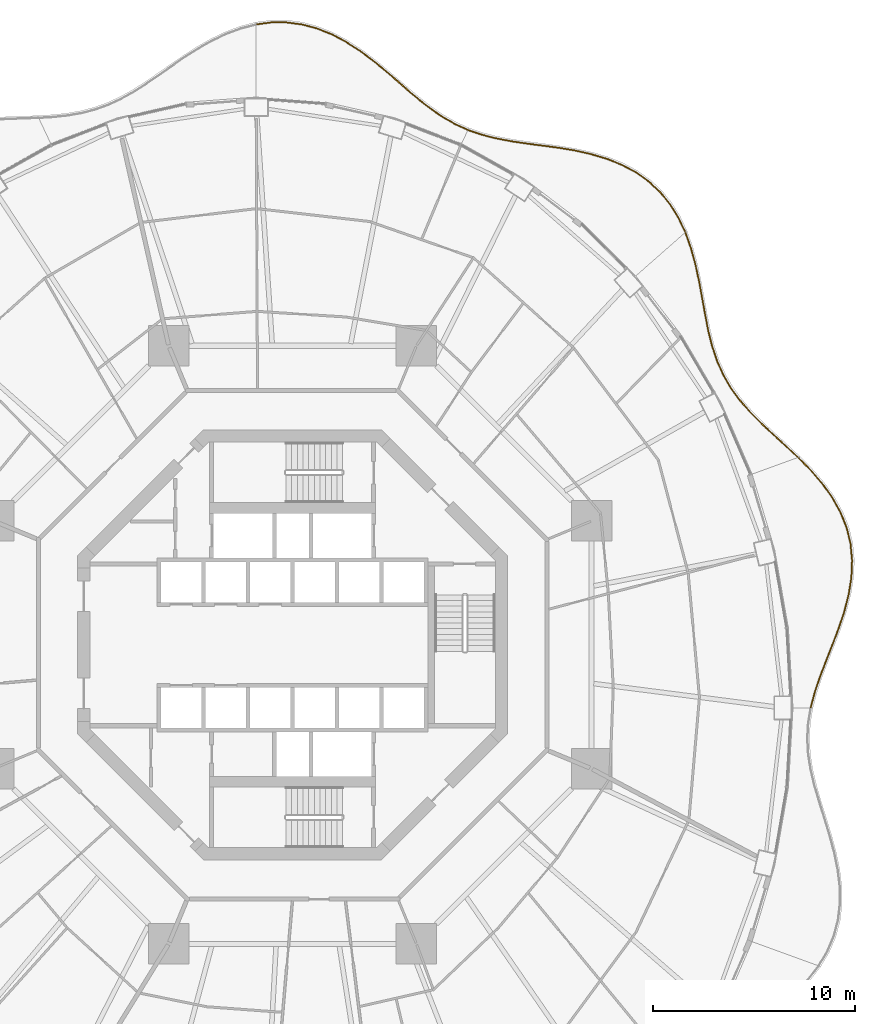
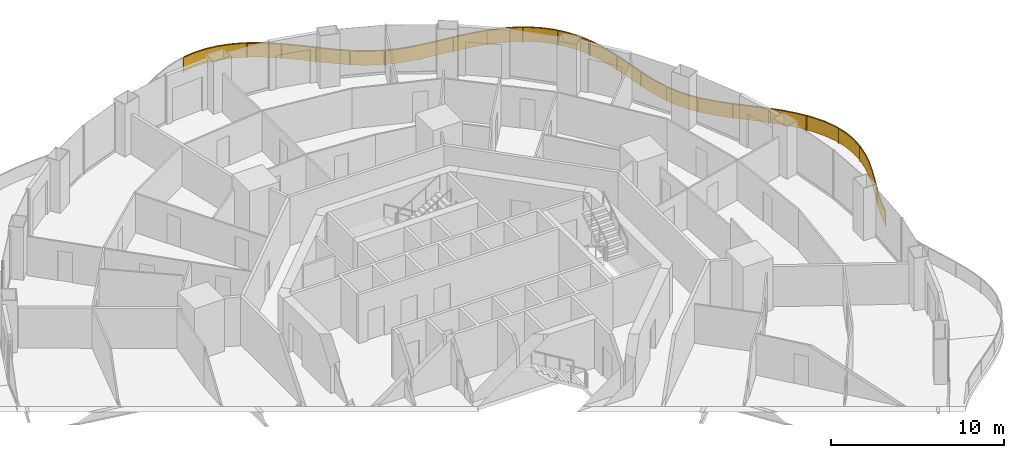
# One storey, part 21 of 21: 4 railings.
"""IFC4 building model written with IfcOpenShell, lengths in metres."""

from ifc_helpers import new_model, si_unit, direction, frame, origin, origin_2d, place, context, subcontext, project, spatial, polyline, rectangle, outline, extrude, material, type_object, element, save


model = new_model("IFC4")

# Units and contexts
model_context = context("Model", 3, precision=1e-05, world=origin(), true_north=direction((0.0, 1.0)))
body_context = subcontext(model_context, "Body", "Model", "MODEL_VIEW")
ifc_project = project(units=[si_unit("LENGTHUNIT", "METRE"), si_unit("AREAUNIT", "SQUARE_METRE"), si_unit("VOLUMEUNIT", "CUBIC_METRE"), si_unit("PLANEANGLEUNIT", "RADIAN"), si_unit("MASSUNIT", "GRAM", prefix="KILO")], contexts=[model_context])

# Site, building, storey
site_placement = place(None, origin())
site = spatial("IfcSite", under=ifc_project, at=site_placement, CompositionType="ELEMENT")
building_placement = place(site_placement, origin())
building = spatial("IfcBuilding", under=site, at=building_placement, Name="Nagisa Residences", CompositionType="ELEMENT")
storey_placement = place(building_placement, frame((0.0, 0.0, 138.10009765625)))
storey = spatial("IfcBuildingStorey", under=building, at=storey_placement, Name="L34", CompositionType="ELEMENT", Elevation=138.10009765625)

# Railings
ifc_material = material(Name="Stainless steel 316", Category="steel")
railing_type = type_object("IfcRailingType", Name="BALCONY GUARD 1100", PredefinedType="BALUSTRADE", material=ifc_material)
railing_1_placement = place(storey_placement, frame((25.61572265625, -3.083740234375, 0.0)))
element("IfcRailing", 1, at=railing_1_placement, inside=storey, type_object=railing_type, Name="guard:L34:bal00-0", PredefinedType="BALUSTRADE", context=body_context, shape_type="SweptSolid", body=[
    extrude(outline(polyline([(0.166015625, 0.728759765625), (-0.024169921875, 0.00634765625), (0.024169921875, -0.00634765625), (0.2138671875, 0.714599609375), (0.473876953125, 1.487548828125), (0.775390625, 2.27685546875), (1.093994140625, 3.083251953125), (1.404296875, 3.90625), (1.68115234375, 4.728759765625), (1.896728515625, 5.573486328125), (2.030517578125, 6.419677734375), (2.064697265625, 7.259521484375), (1.98779296875, 8.084228515625), (1.798095703125, 8.872314453125), (1.4912109375, 9.64404296875), (1.079345703125, 10.380615234375), (0.5771484375, 11.080078125), (0.004150390625, 11.74267578125), (-0.585693359375, 12.338134765625), (-0.621337890625, 12.302978515625), (-0.032470703125, 11.70849609375), (0.53759765625, 11.048828125), (1.036865234375, 10.353759765625), (1.44580078125, 9.62255859375), (1.750244140625, 8.857177734375), (1.9384765625, 8.075927734375), (2.014404296875, 7.258056640625), (1.980712890625, 6.424560546875), (1.847900390625, 5.583740234375), (1.63330078125, 4.742919921875), (1.35693359375, 3.9228515625), (1.047119140625, 3.101318359375), (0.728515625, 2.294921875), (0.427001953125, 1.504638671875), (0.166015625, 0.728759765625)])), frame((0.0, 0.0, 1.050048828125)), (0.0, 0.0, 1.0), 0.050048828125),
    extrude(outline(polyline([(0.183349609375, 0.7236328125), (-0.0068359375, 0.001708984375), (0.0068359375, -0.001708984375), (0.196533203125, 0.7197265625), (0.45703125, 1.49365234375), (0.758544921875, 2.283447265625), (1.0771484375, 3.08984375), (1.38720703125, 3.912109375), (1.6640625, 4.73388671875), (1.879150390625, 5.5771484375), (2.0126953125, 6.42138671875), (2.046630859375, 7.259033203125), (1.969970703125, 8.081298828125), (1.78076171875, 8.866943359375), (1.474853515625, 9.63623046875), (1.06396484375, 10.370849609375), (0.56298828125, 11.06884765625), (-0.009033203125, 11.730224609375), (-0.5986328125, 12.325439453125), (-0.6083984375, 12.315673828125), (-0.019287109375, 11.720947265625), (0.5517578125, 11.06005859375), (1.05224609375, 10.363525390625), (1.462158203125, 9.63037109375), (1.767578125, 8.862548828125), (1.956298828125, 8.078857421875), (2.032470703125, 7.258544921875), (1.99853515625, 6.4228515625), (1.865478515625, 5.580078125), (1.650390625, 4.73779296875), (1.3740234375, 3.9169921875), (1.06396484375, 3.0947265625), (0.745361328125, 2.288330078125), (0.44384765625, 1.49853515625), (0.183349609375, 0.7236328125)])), frame((0.0, 0.0, 0.06005859375)), (0.0, 0.0, 1.0), 0.989990234375),
    extrude(rectangle(XDim=0.0400390625, YDim=0.0400390625, at=origin_2d()), origin(), (0.0, 0.0, 1.0), 1.050048828125),
    extrude(rectangle(XDim=0.0400390625, YDim=0.0400390625, at=origin_2d()), frame((0.6923828125, 2.130126953125, 0.0)), (0.0, 0.0, 1.0), 1.050048828125),
    extrude(rectangle(XDim=0.0400390625, YDim=0.0400390625, at=origin_2d()), frame((1.48583984375, 4.226806640625, 0.0)), (0.0, 0.0, 1.0), 1.050048828125),
    extrude(rectangle(XDim=0.0400390625, YDim=0.0400390625, at=origin_2d()), frame((2.002685546875, 6.4033203125, 0.0)), (0.0, 0.0, 1.0), 1.050048828125),
    extrude(rectangle(XDim=0.0400390625, YDim=0.0400390625, at=origin_2d()), frame((1.831787109375, 8.625244140625, 0.0)), (0.0, 0.0, 1.0), 1.050048828125),
    extrude(rectangle(XDim=0.0400390625, YDim=0.0400390625, at=origin_2d()), frame((0.866943359375, 10.633544921875, 0.0)), (0.0, 0.0, 1.0), 1.050048828125),
    extrude(rectangle(XDim=0.0400390625, YDim=0.0400390625, at=origin_2d()), frame((-0.603515625, 12.320556640625, 0.0)), (0.0, 0.0, 1.0), 1.050048828125),
])
railing_2_placement = place(storey_placement, frame((24.956298828125, 9.289306640625, 0.0)))
element("IfcRailing", 2, at=railing_2_placement, inside=storey, type_object=railing_type, Name="guard:L34:bal01-0", PredefinedType="BALUSTRADE", context=body_context, shape_type="SweptSolid", body=[
    extrude(outline(polyline([(-0.607666015625, 0.533203125), (-0.01708984375, -0.018310546875), (0.01708984375, 0.018310546875), (-0.573486328125, 0.56982421875), (-1.194091796875, 1.13720703125), (-1.791259765625, 1.697021484375), (-2.347412109375, 2.26025390625), (-2.84765625, 2.837158203125), (-3.2763671875, 3.4248046875), (-3.643310546875, 4.057861328125), (-3.943115234375, 4.729248046875), (-4.183837890625, 5.442626953125), (-4.376708984375, 6.197265625), (-4.529052734375, 6.9765625), (-4.6767578125, 7.79736328125), (-4.8310546875, 8.63623046875), (-5.01171875, 9.47900390625), (-5.23779296875, 10.310302734375), (-5.5068359375, 11.06884765625), (-5.55419921875, 11.05224609375), (-5.28564453125, 10.295166015625), (-5.060546875, 9.46728515625), (-4.88037109375, 8.62646484375), (-4.72607421875, 7.78857421875), (-4.578369140625, 6.96728515625), (-4.425537109375, 6.18603515625), (-4.231689453125, 5.428466796875), (-3.989990234375, 4.711181640625), (-3.687744140625, 4.034912109375), (-3.318359375, 3.3974609375), (-2.88671875, 2.805908203125), (-2.384033203125, 2.22607421875), (-1.826416015625, 1.661376953125), (-1.228271484375, 1.1005859375), (-0.607666015625, 0.533203125)])), frame((0.0, 0.0, 1.050048828125)), (0.0, 0.0, 1.0), 0.050048828125),
    extrude(outline(polyline([(-0.59521484375, 0.54638671875), (-0.0048828125, -0.005126953125), (0.0048828125, 0.005126953125), (-0.5859375, 0.556640625), (-1.20654296875, 1.1240234375), (-1.803955078125, 1.684326171875), (-2.360595703125, 2.247802734375), (-2.86181640625, 2.825927734375), (-3.29150390625, 3.4150390625), (-3.6591796875, 4.049560546875), (-3.9599609375, 4.72265625), (-4.200927734375, 5.4375), (-4.394287109375, 6.193115234375), (-4.546875, 6.97314453125), (-4.694580078125, 7.794189453125), (-4.848876953125, 8.6328125), (-5.029296875, 9.474853515625), (-5.255126953125, 10.304931640625), (-5.52392578125, 11.06298828125), (-5.537109375, 11.05810546875), (-5.268310546875, 10.300537109375), (-5.04296875, 9.471435546875), (-4.862548828125, 8.6298828125), (-4.708251953125, 7.791748046875), (-4.560546875, 6.970703125), (-4.407958984375, 6.190185546875), (-4.214599609375, 5.43359375), (-3.97314453125, 4.7177734375), (-3.671875, 4.043212890625), (-3.30322265625, 3.4072265625), (-2.87255859375, 2.817138671875), (-2.370849609375, 2.238525390625), (-1.813720703125, 1.674072265625), (-1.2158203125, 1.11376953125), (-0.59521484375, 0.54638671875)])), frame((0.0, 0.0, 0.06005859375)), (0.0, 0.0, 1.0), 0.989990234375),
    extrude(rectangle(XDim=0.0400390625, YDim=0.0400390625, at=origin_2d()), origin(), (0.0, 0.0, 1.0), 1.050048828125),
    extrude(rectangle(XDim=0.0400390625, YDim=0.0400390625, at=origin_2d()), frame((-1.56103515625, 1.44677734375, 0.0)), (0.0, 0.0, 1.0), 1.050048828125),
    extrude(rectangle(XDim=0.0400390625, YDim=0.0400390625, at=origin_2d()), frame((-3.0029296875, 3.0078125, 0.0)), (0.0, 0.0, 1.0), 1.050048828125),
    extrude(rectangle(XDim=0.0400390625, YDim=0.0400390625, at=origin_2d()), frame((-4.0166015625, 4.86865234375, 0.0)), (0.0, 0.0, 1.0), 1.050048828125),
    extrude(rectangle(XDim=0.0400390625, YDim=0.0400390625, at=origin_2d()), frame((-4.544921875, 6.927490234375, 0.0)), (0.0, 0.0, 1.0), 1.050048828125),
    extrude(rectangle(XDim=0.0400390625, YDim=0.0400390625, at=origin_2d()), frame((-4.938720703125, 9.018798828125, 0.0)), (0.0, 0.0, 1.0), 1.050048828125),
    extrude(rectangle(XDim=0.0400390625, YDim=0.0400390625, at=origin_2d()), frame((-5.530517578125, 11.060546875, 0.0)), (0.0, 0.0, 1.0), 1.050048828125),
])
railing_3_placement = place(storey_placement, frame((19.39697265625, 20.421630859375, 0.0)))
element("IfcRailing", 3, at=railing_3_placement, inside=storey, type_object=railing_type, Name="guard:L34:bal02-0", PredefinedType="BALUSTRADE", context=body_context, shape_type="SweptSolid", body=[
    extrude(outline(polyline([(-0.34130859375, 0.668212890625), (-0.022705078125, -0.0107421875), (0.022705078125, 0.0107421875), (-0.29736328125, 0.692138671875), (-0.713134765625, 1.362060546875), (-1.205810546875, 1.966796875), (-1.773681640625, 2.4990234375), (-2.411376953125, 2.953857421875), (-3.0986328125, 3.320068359375), (-3.847412109375, 3.62255859375), (-4.633056640625, 3.85791015625), (-5.44091796875, 4.037841796875), (-6.257080078125, 4.17578125), (-7.053955078125, 4.27978515625), (-7.84814453125, 4.385009765625), (-8.616455078125, 4.49951171875), (-9.353515625, 4.640625), (-10.055908203125, 4.82177734375), (-10.685546875, 5.0400390625), (-10.7021484375, 4.99267578125), (-10.070556640625, 4.77392578125), (-9.3642578125, 4.591796875), (-8.624755859375, 4.4501953125), (-7.85498046875, 4.335205078125), (-7.060302734375, 4.22998046875), (-6.264404296875, 4.12646484375), (-5.45068359375, 3.988525390625), (-4.645751953125, 3.8095703125), (-3.864013671875, 3.5751953125), (-3.11962890625, 3.274658203125), (-2.437744140625, 2.911376953125), (-1.805419921875, 2.46044921875), (-1.242431640625, 1.9326171875), (-0.754150390625, 1.332763671875), (-0.34130859375, 0.668212890625)])), frame((0.0, 0.0, 1.050048828125)), (0.0, 0.0, 1.0), 0.050048828125),
    extrude(outline(polyline([(-0.325439453125, 0.6767578125), (-0.00634765625, -0.0029296875), (0.00634765625, 0.0029296875), (-0.313232421875, 0.68359375), (-0.72802734375, 1.3515625), (-1.218994140625, 1.95458984375), (-1.78515625, 2.485107421875), (-2.4208984375, 2.9384765625), (-3.106201171875, 3.3037109375), (-3.853271484375, 3.60546875), (-4.6376953125, 3.840576171875), (-5.4443359375, 4.02001953125), (-6.259765625, 4.157958984375), (-7.05615234375, 4.26171875), (-7.8505859375, 4.366943359375), (-8.619384765625, 4.481689453125), (-9.357421875, 4.623046875), (-10.061279296875, 4.804443359375), (-10.691650390625, 5.02294921875), (-10.696044921875, 5.009765625), (-10.065185546875, 4.791259765625), (-9.3603515625, 4.609375), (-8.621826171875, 4.468017578125), (-7.8525390625, 4.353271484375), (-7.05810546875, 4.248046875), (-6.26171875, 4.144287109375), (-5.447265625, 4.00634765625), (-4.64111328125, 3.826904296875), (-3.858154296875, 3.59228515625), (-3.112060546875, 3.291015625), (-2.42822265625, 2.9267578125), (-1.7939453125, 2.474365234375), (-1.229248046875, 1.94482421875), (-0.7392578125, 1.34326171875), (-0.325439453125, 0.6767578125)])), frame((0.0, 0.0, 0.06005859375)), (0.0, 0.0, 1.0), 0.989990234375),
    extrude(rectangle(XDim=0.0400390625, YDim=0.0400390625, at=origin_2d()), origin(), (0.0, 0.0, 1.0), 1.050048828125),
    extrude(rectangle(XDim=0.0400390625, YDim=0.0400390625, at=origin_2d()), frame((-1.0732421875, 1.7646484375, 0.0)), (0.0, 0.0, 1.0), 1.050048828125),
    extrude(rectangle(XDim=0.0400390625, YDim=0.0400390625, at=origin_2d()), frame((-2.672607421875, 3.064697265625, 0.0)), (0.0, 0.0, 1.0), 1.050048828125),
    extrude(rectangle(XDim=0.0400390625, YDim=0.0400390625, at=origin_2d()), frame((-4.59814453125, 3.8212890625, 0.0)), (0.0, 0.0, 1.0), 1.050048828125),
    extrude(rectangle(XDim=0.0400390625, YDim=0.0400390625, at=origin_2d()), frame((-6.636474609375, 4.2001953125, 0.0)), (0.0, 0.0, 1.0), 1.050048828125),
    extrude(rectangle(XDim=0.0400390625, YDim=0.0400390625, at=origin_2d()), frame((-8.69091796875, 4.48828125, 0.0)), (0.0, 0.0, 1.0), 1.050048828125),
    extrude(rectangle(XDim=0.0400390625, YDim=0.0400390625, at=origin_2d()), frame((-10.69384765625, 5.016357421875, 0.0)), (0.0, 0.0, 1.0), 1.050048828125),
])
railing_4_placement = place(storey_placement, frame((8.638916015625, 25.462890625, 0.0)))
element("IfcRailing", 4, at=railing_4_placement, inside=storey, type_object=railing_type, Name="guard:L34:bal03-0", PredefinedType="BALUSTRADE", context=body_context, shape_type="SweptSolid", body=[
    extrude(outline(polyline([(-0.590576171875, 0.240478515625), (-0.01025390625, -0.022705078125), (0.01025390625, 0.022705078125), (-0.567626953125, 0.284912109375), (-1.161376953125, 0.62109375), (-1.740234375, 1.01220703125), (-2.311767578125, 1.452392578125), (-2.884521484375, 1.931884765625), (-3.450439453125, 2.43212890625), (-4.0498046875, 2.947021484375), (-4.671630859375, 3.453369140625), (-5.319580078125, 3.932373046875), (-5.99560546875, 4.365478515625), (-6.6826171875, 4.732177734375), (-7.409423828125, 5.02294921875), (-8.156982421875, 5.2236328125), (-8.91845703125, 5.326171875), (-9.686279296875, 5.32763671875), (-10.40380859375, 5.23388671875), (-10.3974609375, 5.18408203125), (-9.682861328125, 5.27734375), (-8.921875, 5.2763671875), (-8.166748046875, 5.17431640625), (-7.425048828125, 4.9755859375), (-6.70361328125, 4.686767578125), (-6.02099609375, 4.322021484375), (-5.347900390625, 3.891357421875), (-4.702392578125, 3.413818359375), (-4.08203125, 2.908447265625), (-3.483154296875, 2.39453125), (-2.917236328125, 1.893798828125), (-2.343017578125, 1.413330078125), (-1.76953125, 0.9716796875), (-1.187744140625, 0.57861328125), (-0.590576171875, 0.240478515625)])), frame((0.0, 0.0, 1.050048828125)), (0.0, 0.0, 1.0), 0.050048828125),
    extrude(outline(polyline([(-0.582275390625, 0.25634765625), (-0.0029296875, -0.00634765625), (0.0029296875, 0.00634765625), (-0.575927734375, 0.26904296875), (-1.1708984375, 0.605712890625), (-1.750732421875, 0.99755859375), (-2.322998046875, 1.438232421875), (-2.896240234375, 1.918212890625), (-3.462158203125, 2.418701171875), (-4.0615234375, 2.93310546875), (-4.6826171875, 3.439208984375), (-5.329833984375, 3.917724609375), (-6.004638671875, 4.349853515625), (-6.690185546875, 4.7158203125), (-7.4150390625, 5.005859375), (-8.160400390625, 5.205810546875), (-8.919677734375, 5.308349609375), (-9.68505859375, 5.3095703125), (-10.401611328125, 5.2158203125), (-10.399658203125, 5.2021484375), (-9.68408203125, 5.29541015625), (-8.920654296875, 5.294189453125), (-8.163330078125, 5.192138671875), (-7.41943359375, 4.99267578125), (-6.696044921875, 4.703125), (-6.011962890625, 4.337646484375), (-5.337646484375, 3.906005859375), (-4.69140625, 3.427978515625), (-4.0703125, 2.92236328125), (-3.471435546875, 2.407958984375), (-2.905517578125, 1.907470703125), (-2.331787109375, 1.427490234375), (-1.759033203125, 0.986328125), (-1.17822265625, 0.593994140625), (-0.582275390625, 0.25634765625)])), frame((0.0, 0.0, 0.06005859375)), (0.0, 0.0, 1.0), 0.989990234375),
    extrude(rectangle(XDim=0.0400390625, YDim=0.0400390625, at=origin_2d()), origin(), (0.0, 0.0, 1.0), 1.050048828125),
    extrude(rectangle(XDim=0.0400390625, YDim=0.0400390625, at=origin_2d()), frame((-1.74072265625, 0.982421875, 0.0)), (0.0, 0.0, 1.0), 1.050048828125),
    extrude(rectangle(XDim=0.0400390625, YDim=0.0400390625, at=origin_2d()), frame((-3.28759765625, 2.2548828125, 0.0)), (0.0, 0.0, 1.0), 1.050048828125),
    extrude(rectangle(XDim=0.0400390625, YDim=0.0400390625, at=origin_2d()), frame((-4.82666015625, 3.536865234375, 0.0)), (0.0, 0.0, 1.0), 1.050048828125),
    extrude(rectangle(XDim=0.0400390625, YDim=0.0400390625, at=origin_2d()), frame((-6.5126953125, 4.613037109375, 0.0)), (0.0, 0.0, 1.0), 1.050048828125),
    extrude(rectangle(XDim=0.0400390625, YDim=0.0400390625, at=origin_2d()), frame((-8.40771484375, 5.232177734375, 0.0)), (0.0, 0.0, 1.0), 1.050048828125),
    extrude(rectangle(XDim=0.0400390625, YDim=0.0400390625, at=origin_2d()), frame((-10.400634765625, 5.208984375, 0.0)), (0.0, 0.0, 1.0), 1.050048828125),
])

save(model, "model.ifc")
